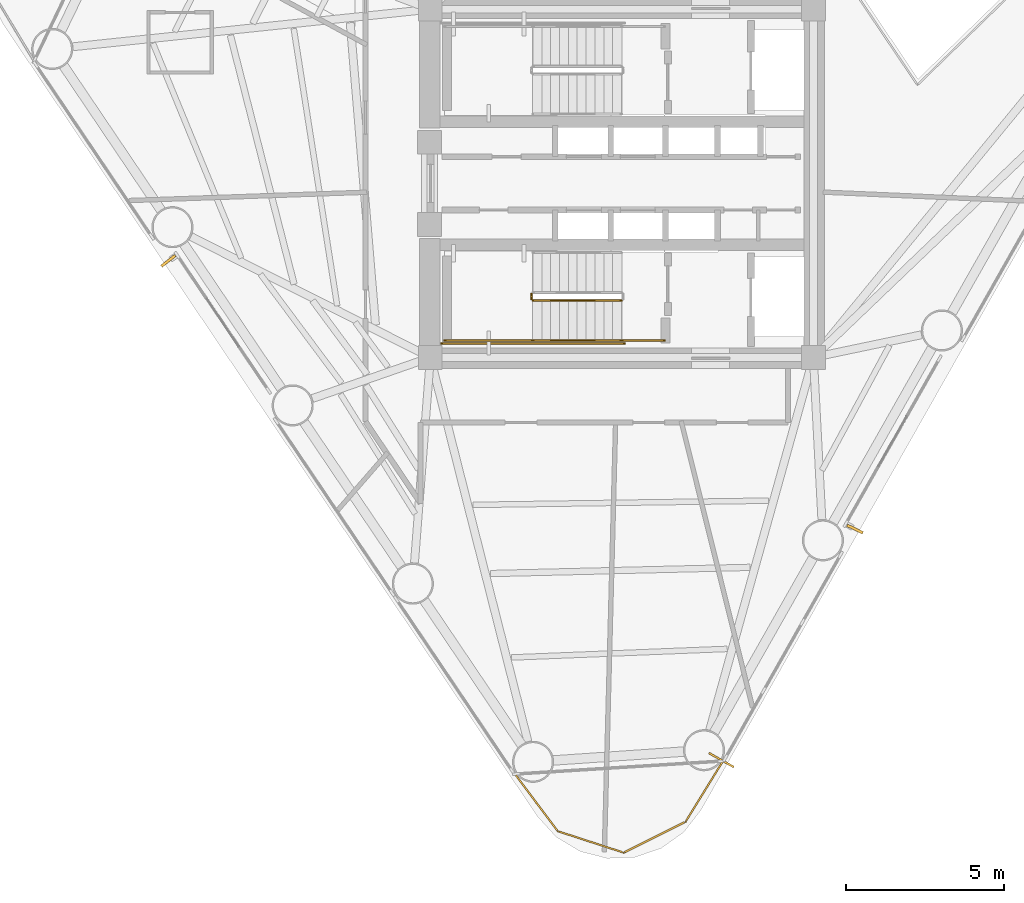
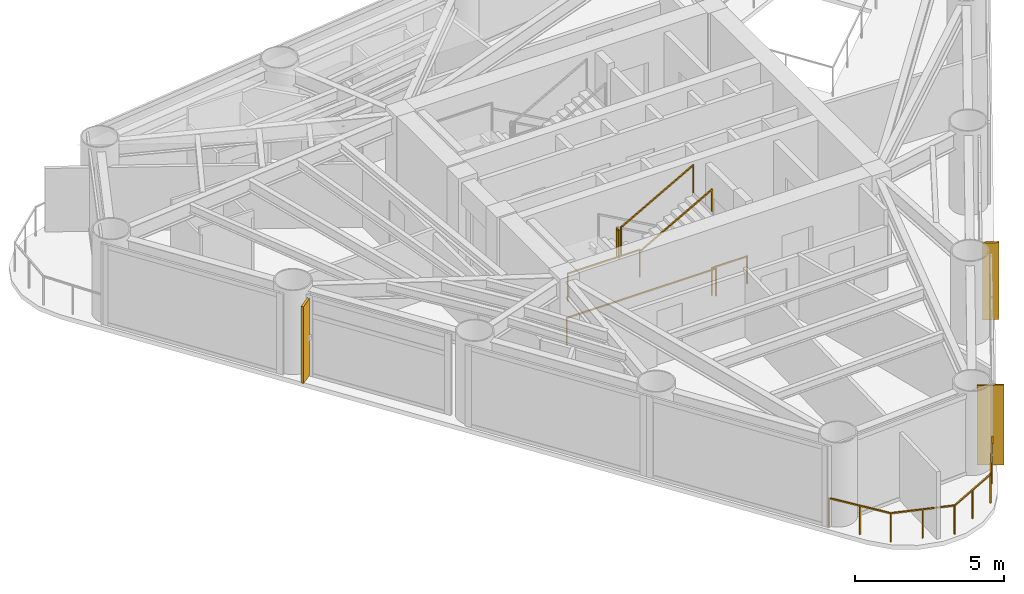
# One storey, part 7 of 9: 7 railings, 2 shading devices, 1 covering.
"""IFC4 building model written with IfcOpenShell, lengths in metres."""

from ifc_helpers import new_model, si_unit, direction, frame, origin, origin_2d, place, context, subcontext, project, spatial, rectangle, extrude, source, transform, mapped, material, layer, layer_set, material_profile, profile_set, type_object, element, save


model = new_model("IFC4")

# Units and contexts
model_context = context("Model", 3, precision=1e-05, world=origin(), true_north=direction((0.0, 1.0)))
body_context = subcontext(model_context, "Body", "Model", "MODEL_VIEW")
ifc_project = project(units=[si_unit("LENGTHUNIT", "METRE"), si_unit("AREAUNIT", "SQUARE_METRE"), si_unit("VOLUMEUNIT", "CUBIC_METRE"), si_unit("PLANEANGLEUNIT", "RADIAN"), si_unit("MASSUNIT", "GRAM", prefix="KILO")], contexts=[model_context])

# Site, building, storey
site_placement = place(None, origin())
site = spatial("IfcSite", under=ifc_project, at=site_placement, CompositionType="ELEMENT")
building_placement = place(site_placement, origin())
building = spatial("IfcBuilding", under=site, at=building_placement, Name="Yunling Apex Tower", CompositionType="ELEMENT")
storey_placement = place(building_placement, frame((0.0, 0.0, 169.10009765625)))
storey = spatial("IfcBuildingStorey", under=building, at=storey_placement, Name="L41", CompositionType="ELEMENT", Elevation=169.10009765625)

# Railings
ifc_material_1 = material(Name="Bronze anodised aluminium", Category="aluminium")
railing_type_1 = type_object("IfcRailingType", Name="RL-BAL-1200", PredefinedType="BALUSTRADE", material=ifc_material_1)
railing_1_placement = place(storey_placement, frame((3.195068359375, -18.248046875, 0.0)))
element("IfcRailing", 1, at=railing_1_placement, inside=storey, type_object=railing_type_1, Name="RL-CRNSILL-L41-3", PredefinedType="BALUSTRADE", context=body_context, shape_type="SweptSolid", body=[
    extrude(rectangle(XDim=0.0439453125, YDim=0.0439453125, at=origin_2d()), origin(), (0.0, 0.0, 1.0), 1.199951171875),
    extrude(rectangle(XDim=0.0439453125, YDim=0.0439453125, at=origin_2d()), frame((-1.182861328125, -1.91845703125, 0.0)), (0.0, 0.0, 1.0), 1.199951171875),
    extrude(rectangle(XDim=0.050048828125, YDim=0.050048828125, at=origin_2d()), frame((-0.02001953125, -0.03271484375, 1.1748046875), z_axis=(-0.524828533939, -0.851207971041, 0.0), x_axis=(0.851207971041, -0.524828533939, 0.0)), (0.0, 0.0, 1.0), 2.17724609375),
    extrude(rectangle(XDim=0.0439453125, YDim=0.0439453125, at=origin_2d()), frame((-0.59130859375, -0.959228515625, 0.0)), (0.0, 0.0, 1.0), 1.14599609375),
    extrude(rectangle(XDim=0.0439453125, YDim=0.0439453125, at=origin_2d()), frame((-3.1376953125, -2.895751953125, 0.0)), (0.0, 0.0, 1.0), 1.199951171875),
    extrude(rectangle(XDim=0.050048828125, YDim=0.050048828125, at=origin_2d()), frame((-1.217041015625, -1.935546875, 1.1748046875), z_axis=(-0.894449531573, -0.447168911563, 0.0), x_axis=(0.447168911563, -0.894449531573, 0.0)), (0.0, 0.0, 1.0), 2.10888671875),
    extrude(rectangle(XDim=0.0439453125, YDim=0.0439453125, at=origin_2d()), frame((-2.16015625, -2.4072265625, 0.0)), (0.0, 0.0, 1.0), 1.14599609375),
    extrude(rectangle(XDim=0.0439453125, YDim=0.0439453125, at=origin_2d()), frame((-5.22265625, -2.216552734375, 0.0)), (0.0, 0.0, 1.0), 1.199951171875),
    extrude(rectangle(XDim=0.050048828125, YDim=0.050048828125, at=origin_2d()), frame((-3.174072265625, -2.8837890625, 1.1748046875), z_axis=(-0.950821112954, 0.309740554595, 0.0), x_axis=(-0.309740554595, -0.950821112954, 0.0)), (0.0, 0.0, 1.0), 2.1162109375),
    extrude(rectangle(XDim=0.0439453125, YDim=0.0439453125, at=origin_2d()), frame((-4.18017578125, -2.55615234375, 0.0)), (0.0, 0.0, 1.0), 1.14599609375),
    extrude(rectangle(XDim=0.0439453125, YDim=0.0439453125, at=origin_2d()), frame((-6.572021484375, -0.412841796875, 0.0)), (0.0, 0.0, 1.0), 1.199951171875),
    extrude(rectangle(XDim=0.050048828125, YDim=0.050048828125, at=origin_2d()), frame((-5.24560546875, -2.185791015625, 1.1748046875), z_axis=(-0.599028453381, 0.800727739023, 0.0), x_axis=(-0.800727739023, -0.599028453381, 0.0)), (0.0, 0.0, 1.0), 2.176025390625),
    extrude(rectangle(XDim=0.0439453125, YDim=0.0439453125, at=origin_2d()), frame((-5.8974609375, -1.314697265625, 0.0)), (0.0, 0.0, 1.0), 1.14599609375),
])
ifc_material_2 = material(Name="Steel Q355B", Category="steel")
railing_type_2 = type_object("IfcRailingType", Name="RL-GRD-1150", PredefinedType="GUARDRAIL", material=ifc_material_2)
railing_2_placement = place(storey_placement, frame((-2.860107421875, -3.5, 1.724853515625)))
element("IfcRailing", 2, at=railing_2_placement, inside=storey, type_object=railing_type_2, Name="L41 ST-2 stair guard 2", PredefinedType="GUARDRAIL", context=body_context, shape_type="SweptSolid", body=[
    extrude(rectangle(XDim=0.0439453125, YDim=0.0439453125, at=origin_2d()), origin(), (0.0, 0.0, 1.0), 1.14990234375),
    extrude(rectangle(XDim=0.0439453125, YDim=0.0439453125, at=origin_2d()), frame((0.0, -0.14990234375, 0.0)), (0.0, 0.0, 1.0), 1.14990234375),
    extrude(rectangle(XDim=0.050048828125, YDim=0.050048828125, at=origin_2d()), frame((0.0, -0.038330078125, 1.125), z_axis=(0.0, -1.0, 0.0), x_axis=(1.0, 0.0, 0.0)), (0.0, 0.0, 1.0), 0.0732421875),
])
railing_3_placement = place(storey_placement, frame((-2.81005859375, -4.9599609375, 1.724853515625)))
element("IfcRailing", 3, at=railing_3_placement, inside=storey, type_object=railing_type_2, Name="L41 ST-2 stair guard 3", PredefinedType="GUARDRAIL", context=body_context, shape_type="SweptSolid", body=[
    extrude(rectangle(XDim=0.0439453125, YDim=0.0439453125, at=origin_2d()), origin(), (0.0, 0.0, 1.0), 1.14990234375),
    extrude(rectangle(XDim=0.0439453125, YDim=0.0439453125, at=origin_2d()), frame((-2.7900390625, 0.0, 0.0)), (0.0, 0.0, 1.0), 1.14990234375),
    extrude(rectangle(XDim=0.050048828125, YDim=0.050048828125, at=origin_2d()), frame((-0.038330078125, 0.0, 1.125), z_axis=(-1.0, 0.0, 0.0), x_axis=(0.0, -1.0, 0.0)), (0.0, 0.0, 1.0), 2.71337890625),
])
railing_4_placement = place(storey_placement, frame((-2.81005859375, -3.699951171875, 1.8818359375)))
element("IfcRailing", 4, at=railing_4_placement, inside=storey, type_object=railing_type_2, Name="L41 ST-2 stair guard 4", PredefinedType="GUARDRAIL", context=body_context, shape_type="SweptSolid", body=[
    extrude(rectangle(XDim=0.0439453125, YDim=0.0439453125, at=origin_2d()), origin(), (0.0, 0.0, 1.0), 1.14990234375),
    extrude(rectangle(XDim=0.0439453125, YDim=0.0439453125, at=origin_2d()), frame((2.800048828125, 0.0, 1.568115234375)), (0.0, 0.0, 1.0), 1.14990234375),
    extrude(rectangle(XDim=0.050048828125, YDim=0.050048828125, at=origin_2d()), frame((0.033447265625, 0.0, 1.1435546875), z_axis=(0.872494340497, 0.0, 0.48862421737), x_axis=(0.0, 1.0, 0.0)), (0.0, 0.0, 1.0), 3.132568359375),
])
railing_5_placement = place(storey_placement, frame((1.35009765625, -4.9599609375, 0.0)))
element("IfcRailing", 5, at=railing_5_placement, inside=storey, type_object=railing_type_2, Name="L41 ST-2 stair guard 6", PredefinedType="GUARDRAIL", context=body_context, shape_type="SweptSolid", body=[
    extrude(rectangle(XDim=0.0439453125, YDim=0.0439453125, at=origin_2d()), origin(), (0.0, 0.0, 1.0), 1.14990234375),
    extrude(rectangle(XDim=0.0439453125, YDim=0.0439453125, at=origin_2d()), frame((-1.360107421875, 0.0, 0.0)), (0.0, 0.0, 1.0), 1.14990234375),
    extrude(rectangle(XDim=0.050048828125, YDim=0.050048828125, at=origin_2d()), frame((-0.038330078125, 0.0, 1.125), z_axis=(-1.0, 0.0, 0.0), x_axis=(0.0, -1.0, 0.0)), (0.0, 0.0, 1.0), 1.283447265625),
])
railing_6_placement = place(storey_placement, frame((0.090087890625, -5.06005859375, 0.0)))
element("IfcRailing", 6, at=railing_6_placement, inside=storey, type_object=railing_type_2, Name="L41 ST-2 stair guard 7", PredefinedType="GUARDRAIL", context=body_context, shape_type="SweptSolid", body=[
    extrude(rectangle(XDim=0.0439453125, YDim=0.0439453125, at=origin_2d()), origin(), (0.0, 0.0, 1.0), 1.14990234375),
    extrude(rectangle(XDim=0.0439453125, YDim=0.0439453125, at=origin_2d()), frame((-5.7900390625, 0.0, 0.0)), (0.0, 0.0, 1.0), 1.14990234375),
    extrude(rectangle(XDim=0.050048828125, YDim=0.050048828125, at=origin_2d()), frame((-0.038330078125, 0.0, 1.125), z_axis=(-1.0, 0.0, 0.0), x_axis=(0.0, -1.0, 0.0)), (0.0, 0.0, 1.0), 5.71337890625),
])
ifc_material_3 = material(Name="Silver anodised aluminium", Category="aluminium")
railing_type_3 = type_object("IfcRailingType", Name="RL-HND-900", PredefinedType="HANDRAIL", material=ifc_material_3)
railing_7_placement = place(storey_placement, frame((-2.81005859375, -4.9599609375, 1.8818359375)))
element("IfcRailing", 7, at=railing_7_placement, inside=storey, type_object=railing_type_3, Name="L41 ST-2 stair handrail 2", PredefinedType="HANDRAIL", context=body_context, shape_type="SweptSolid", body=[
    extrude(rectangle(XDim=0.0439453125, YDim=0.0439453125, at=origin_2d()), origin(), (0.0, 0.0, 1.0), 0.919921875),
    extrude(rectangle(XDim=0.0439453125, YDim=0.0439453125, at=origin_2d()), frame((2.800048828125, 0.0, 1.568115234375)), (0.0, 0.0, 1.0), 0.919921875),
    extrude(rectangle(XDim=0.050048828125, YDim=0.050048828125, at=origin_2d()), frame((0.033447265625, 0.0, 0.91357421875), z_axis=(0.872494340497, 0.0, 0.48862421737), x_axis=(0.0, 1.0, 0.0)), (0.0, 0.0, 1.0), 3.132568359375),
])

# Covering
ifc_layer = layer(ifc_material_1, 0.0400390625)
ifc_layer_set = layer_set([ifc_layer], Name="Bronze anodised aluminium")
covering_type = type_object("IfcCoveringType", Name="CV-CLD-1", PredefinedType="CLADDING", material=ifc_layer_set)
shared_shape_1 = source(origin(), body_context, "Body", "SweptSolid", [
    extrude(rectangle(XDim=0.06005859375, YDim=0.89990234375, at=origin_2d()), origin(), (0.0, 0.0, 1.0), 3.27001953125),
])
covering_placement = place(storey_placement, frame((3.142822265625, -18.218505859375, 0.0), z_axis=(0.0, 0.0, 1.0), x_axis=(0.493031062956, 0.87001170737, 0.0)))
element("IfcCovering", 8, at=covering_placement, inside=storey, type_object=covering_type, Name="CV-CLD-L41", PredefinedType="CLADDING", context=body_context, shape_type="MappedRepresentation", body=[
    mapped(shared_shape_1, transform((0.0, 0.0, 0.0), scale=1.0)),
])

# Shading devices
ifc_material_profile = material_profile(ifc_material_1, rectangle(XDim=0.0849609375, YDim=0.550048828125, at=origin_2d()))
ifc_profile_set = profile_set([ifc_material_profile], Name="Bronze anodised aluminium")
shading_device_type = type_object("IfcShadingDeviceType", Name="FN-BRZ-3", PredefinedType="USERDEFINED", material=ifc_profile_set)
shared_shape_2 = source(origin(), body_context, "Body", "SweptSolid", [
    extrude(rectangle(XDim=0.0849609375, YDim=0.550048828125, at=origin_2d()), origin(), (0.0, 0.0, 1.0), 3.14990234375),
])
for number, where, z_axis, x_axis, name in (
    (9, (7.364501953125, -10.9208984375, 0.06005859375), (0.0, 0.0, 1.0), (0.435073957475, 0.900394719846, 0.0), "CW-L41-F1-B2-FIN-01"),
    (10, (-14.3291015625, -2.45068359375, 0.06005859375), (0.0, 0.0, 1.0), (0.612217280034, -0.790689573744, 0.0), "CW-L41-F3-B2-FIN-01"),
):
    element("IfcShadingDevice", number, at=place(storey_placement, frame(where, z_axis=z_axis, x_axis=x_axis)), inside=storey, type_object=shading_device_type, Name=name, ObjectType="FIN", PredefinedType="USERDEFINED", context=body_context, shape_type="MappedRepresentation", body=[
        mapped(shared_shape_2, transform((0.0, 0.0, 0.0), scale=1.0)),
    ])

save(model, "model.ifc")
